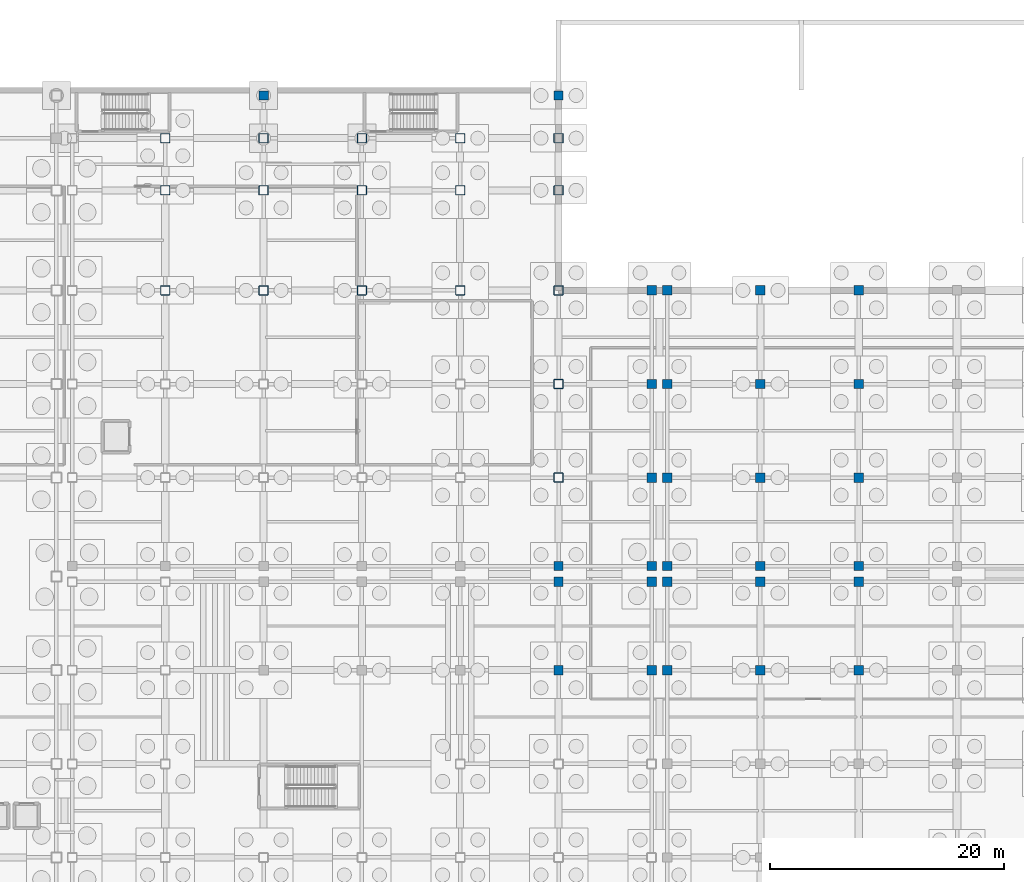
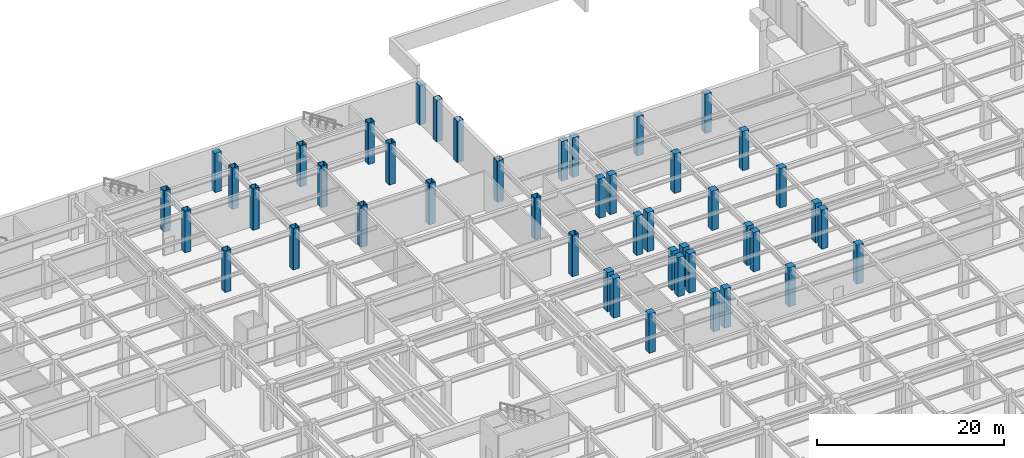
# One storey, part 18 of 55: 46 columns.
"""IFC4 building model written with IfcOpenShell, lengths in metres."""

from ifc_helpers import new_model, si_unit, direction, frame, origin, origin_2d, place, context, subcontext, project, spatial, rectangle, hollow_rectangle, extrude, material, material_profile, profile_set, type_object, element, save


model = new_model("IFC4")

# Units and contexts
model_context = context("Model", 3, precision=1e-05, world=origin(), true_north=direction((0.0, 1.0)))
body_context = subcontext(model_context, "Body", "Model", "MODEL_VIEW")
ifc_project = project(units=[si_unit("LENGTHUNIT", "METRE"), si_unit("AREAUNIT", "SQUARE_METRE"), si_unit("VOLUMEUNIT", "CUBIC_METRE"), si_unit("PLANEANGLEUNIT", "RADIAN"), si_unit("MASSUNIT", "GRAM", prefix="KILO")], contexts=[model_context])

# Site, building, storey
site_placement = place(None, origin())
site = spatial("IfcSite", under=ifc_project, at=site_placement, CompositionType="ELEMENT")
building_placement = place(site_placement, origin())
building = spatial("IfcBuilding", under=site, at=building_placement, Name="Kazehara Bluff Congress Hotel", CompositionType="ELEMENT")
storey_placement = place(building_placement, frame((0.0, 0.0, -5.39990234375)))
storey = spatial("IfcBuildingStorey", under=building, at=storey_placement, Name="B1", CompositionType="ELEMENT", Elevation=-5.39990234375)

# Columns
ifc_material_1 = material(Name="Steel BCR295", Category="steel")
ifc_material_profile_1 = material_profile(ifc_material_1, hollow_rectangle(XDim=0.800048828125, YDim=0.800048828125, WallThickness=0.031982421875, InnerFilletRadius=0.031982421875, OuterFilletRadius=0.06396484375, at=origin_2d()))
ifc_profile_set_1 = profile_set([ifc_material_profile_1], Name="Steel BCR295")
column_type_1 = type_object("IfcColumnType", Name="TP-C-02", PredefinedType="COLUMN", material=ifc_profile_set_1)
for number, where, z_axis, x_axis, name in (
    (1, (67.64990234375, 96.89990234375, 0.0), (0.0, 0.0, 1.0), (1.0, 0.0, 0.0), "B1 column C-02 (67.65,96.90)"),
    (2, (67.64990234375, 105.449951171875, 0.0), (0.0, 0.0, 1.0), (1.0, 0.0, 0.0), "B1 column C-02 (67.65,105.45)"),
    (3, (67.64990234375, 109.89990234375, 0.0), (0.0, 0.0, 1.0), (1.0, 0.0, 0.0), "B1 column C-02 (67.65,109.90)"),
    (4, (76.050048828125, 96.89990234375, 0.0), (0.0, 0.0, 1.0), (1.0, 0.0, 0.0), "B1 column C-02 (76.05,96.90)"),
    (5, (76.050048828125, 105.449951171875, 0.0), (0.0, 0.0, 1.0), (1.0, 0.0, 0.0), "B1 column C-02 (76.05,105.45)"),
    (6, (76.050048828125, 109.89990234375, 0.0), (0.0, 0.0, 1.0), (1.0, 0.0, 0.0), "B1 column C-02 (76.05,109.90)"),
    (7, (84.449951171875, 96.89990234375, 0.0), (0.0, 0.0, 1.0), (1.0, 0.0, 0.0), "B1 column C-02 (84.45,96.90)"),
    (8, (84.449951171875, 105.449951171875, 0.0), (0.0, 0.0, 1.0), (1.0, 0.0, 0.0), "B1 column C-02 (84.45,105.45)"),
    (9, (84.449951171875, 109.89990234375, 0.0), (0.0, 0.0, 1.0), (1.0, 0.0, 0.0), "B1 column C-02 (84.45,109.90)"),
    (10, (92.85009765625, 96.89990234375, 0.0), (0.0, 0.0, 1.0), (1.0, 0.0, 0.0), "B1 column C-02 (92.85,96.90)"),
    (11, (92.85009765625, 105.449951171875, 0.0), (0.0, 0.0, 1.0), (1.0, 0.0, 0.0), "B1 column C-02 (92.85,105.45)"),
    (12, (92.85009765625, 109.89990234375, 0.0), (0.0, 0.0, 1.0), (1.0, 0.0, 0.0), "B1 column C-02 (92.85,109.90)"),
    (13, (101.25, 80.89990234375, 0.0), (0.0, 0.0, 1.0), (1.0, 0.0, 0.0), "B1 column C-02 (101.25,80.90)"),
    (14, (101.25, 88.89990234375, 0.0), (0.0, 0.0, 1.0), (1.0, 0.0, 0.0), "B1 column C-02 (101.25,88.90)"),
    (15, (101.25, 96.89990234375, 0.0), (0.0, 0.0, 1.0), (1.0, 0.0, 0.0), "B1 column C-02 (101.25,96.90)"),
    (16, (101.25, 105.449951171875, 0.0), (0.0, 0.0, 1.0), (1.0, 0.0, 0.0), "B1 column C-02 (101.25,105.45)"),
    (17, (101.25, 109.89990234375, 0.0), (0.0, 0.0, 1.0), (1.0, 0.0, 0.0), "B1 column C-02 (101.25,109.90)"),
):
    element("IfcColumn", number, at=place(storey_placement, frame(where, z_axis=z_axis, x_axis=x_axis)), inside=storey, type_object=column_type_1, Name=name, PredefinedType="COLUMN", context=body_context, shape_type="SweptSolid", body=[
        extrude(hollow_rectangle(XDim=0.800048828125, YDim=0.800048828125, WallThickness=0.031982421875, InnerFilletRadius=0.031982421875, OuterFilletRadius=0.06396484375, at=origin_2d()), origin(), (0.0, 0.0, 1.0), 5.39990234375),
    ])
ifc_material_2 = material(Name="Concrete C40/50", Category="concrete")
ifc_material_profile_2 = material_profile(ifc_material_2, rectangle(XDim=0.800048828125, YDim=0.800048828125, at=origin_2d()))
ifc_profile_set_2 = profile_set([ifc_material_profile_2], Name="Concrete C40/50")
column_type_2 = type_object("IfcColumnType", Name="TP-C-13", PredefinedType="COLUMN", material=ifc_profile_set_2)
for number, where, z_axis, x_axis, name in (
    (18, (76.050048828125, 113.550048828125, 0.0), (0.0, 0.0, 1.0), (1.0, 0.0, 0.0), "B1 column C-13 (76.05,113.55)"),
    (19, (101.25, 64.449951171875, 0.0), (0.0, 0.0, 1.0), (1.0, 0.0, 0.0), "B1 column C-13 (101.25,64.45)"),
    (20, (101.25, 72.0, 0.0), (0.0, 0.0, 1.0), (1.0, 0.0, 0.0), "B1 column C-13 (101.25,72.00)"),
    (21, (101.25, 73.35009765625, 0.0), (0.0, 0.0, 1.0), (1.0, 0.0, 0.0), "B1 column C-13 (101.25,73.35)"),
    (22, (101.25, 113.550048828125, 0.0), (0.0, 0.0, 1.0), (1.0, 0.0, 0.0), "B1 column C-13 (101.25,113.55)"),
    (23, (109.199951171875, 64.449951171875, 0.0), (0.0, 0.0, 1.0), (1.0, 0.0, 0.0), "B1 column C-13 (109.20,64.45)"),
    (24, (109.199951171875, 72.0, 0.0), (0.0, 0.0, 1.0), (1.0, 0.0, 0.0), "B1 column C-13 (109.20,72.00)"),
    (25, (109.199951171875, 73.35009765625, 0.0), (0.0, 0.0, 1.0), (1.0, 0.0, 0.0), "B1 column C-13 (109.20,73.35)"),
    (26, (109.199951171875, 80.89990234375, 0.0), (0.0, 0.0, 1.0), (1.0, 0.0, 0.0), "B1 column C-13 (109.20,80.90)"),
    (27, (109.199951171875, 88.89990234375, 0.0), (0.0, 0.0, 1.0), (1.0, 0.0, 0.0), "B1 column C-13 (109.20,88.90)"),
    (28, (109.199951171875, 96.89990234375, 0.0), (0.0, 0.0, 1.0), (1.0, 0.0, 0.0), "B1 column C-13 (109.20,96.90)"),
    (29, (110.550048828125, 64.449951171875, 0.0), (0.0, 0.0, 1.0), (1.0, 0.0, 0.0), "B1 column C-13 (110.55,64.45)"),
    (30, (110.550048828125, 72.0, 0.0), (0.0, 0.0, 1.0), (1.0, 0.0, 0.0), "B1 column C-13 (110.55,72.00)"),
    (31, (110.550048828125, 73.35009765625, 0.0), (0.0, 0.0, 1.0), (1.0, 0.0, 0.0), "B1 column C-13 (110.55,73.35)"),
    (32, (110.550048828125, 80.89990234375, 0.0), (0.0, 0.0, 1.0), (1.0, 0.0, 0.0), "B1 column C-13 (110.55,80.90)"),
    (33, (110.550048828125, 88.89990234375, 0.0), (0.0, 0.0, 1.0), (1.0, 0.0, 0.0), "B1 column C-13 (110.55,88.90)"),
    (34, (110.550048828125, 96.89990234375, 0.0), (0.0, 0.0, 1.0), (1.0, 0.0, 0.0), "B1 column C-13 (110.55,96.90)"),
    (35, (118.5, 64.449951171875, 0.0), (0.0, 0.0, 1.0), (1.0, 0.0, 0.0), "B1 column C-13 (118.50,64.45)"),
    (36, (118.5, 72.0, 0.0), (0.0, 0.0, 1.0), (1.0, 0.0, 0.0), "B1 column C-13 (118.50,72.00)"),
    (37, (118.5, 73.35009765625, 0.0), (0.0, 0.0, 1.0), (1.0, 0.0, 0.0), "B1 column C-13 (118.50,73.35)"),
    (38, (118.5, 80.89990234375, 0.0), (0.0, 0.0, 1.0), (1.0, 0.0, 0.0), "B1 column C-13 (118.50,80.90)"),
    (39, (118.5, 88.89990234375, 0.0), (0.0, 0.0, 1.0), (1.0, 0.0, 0.0), "B1 column C-13 (118.50,88.90)"),
    (40, (118.5, 96.89990234375, 0.0), (0.0, 0.0, 1.0), (1.0, 0.0, 0.0), "B1 column C-13 (118.50,96.90)"),
    (41, (126.89990234375, 64.449951171875, 0.0), (0.0, 0.0, 1.0), (1.0, 0.0, 0.0), "B1 column C-13 (126.90,64.45)"),
    (42, (126.89990234375, 72.0, 0.0), (0.0, 0.0, 1.0), (1.0, 0.0, 0.0), "B1 column C-13 (126.90,72.00)"),
    (43, (126.89990234375, 73.35009765625, 0.0), (0.0, 0.0, 1.0), (1.0, 0.0, 0.0), "B1 column C-13 (126.90,73.35)"),
    (44, (126.89990234375, 80.89990234375, 0.0), (0.0, 0.0, 1.0), (1.0, 0.0, 0.0), "B1 column C-13 (126.90,80.90)"),
    (45, (126.89990234375, 88.89990234375, 0.0), (0.0, 0.0, 1.0), (1.0, 0.0, 0.0), "B1 column C-13 (126.90,88.90)"),
    (46, (126.89990234375, 96.89990234375, 0.0), (0.0, 0.0, 1.0), (1.0, 0.0, 0.0), "B1 column C-13 (126.90,96.90)"),
):
    element("IfcColumn", number, at=place(storey_placement, frame(where, z_axis=z_axis, x_axis=x_axis)), inside=storey, type_object=column_type_2, Name=name, PredefinedType="COLUMN", context=body_context, shape_type="SweptSolid", body=[
        extrude(rectangle(XDim=0.800048828125, YDim=0.800048828125, at=origin_2d()), origin(), (0.0, 0.0, 1.0), 5.119873046875),
    ])

save(model, "model.ifc")
